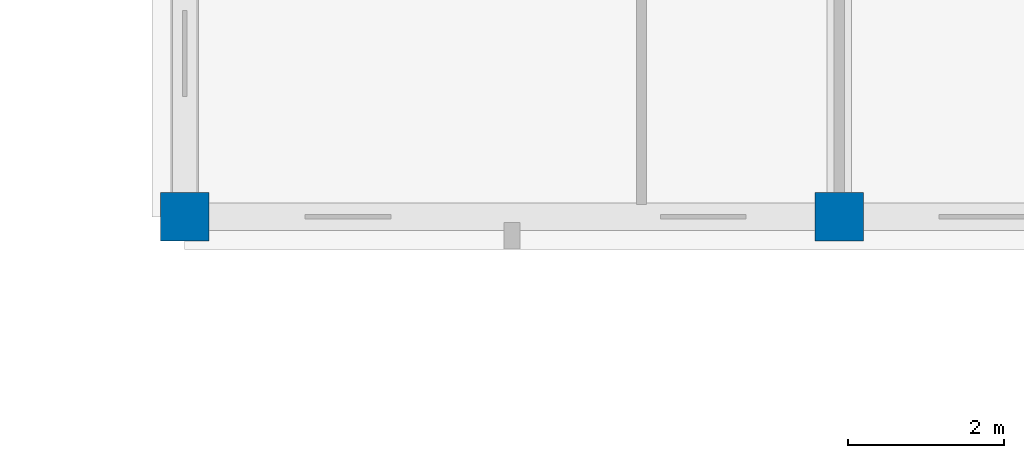
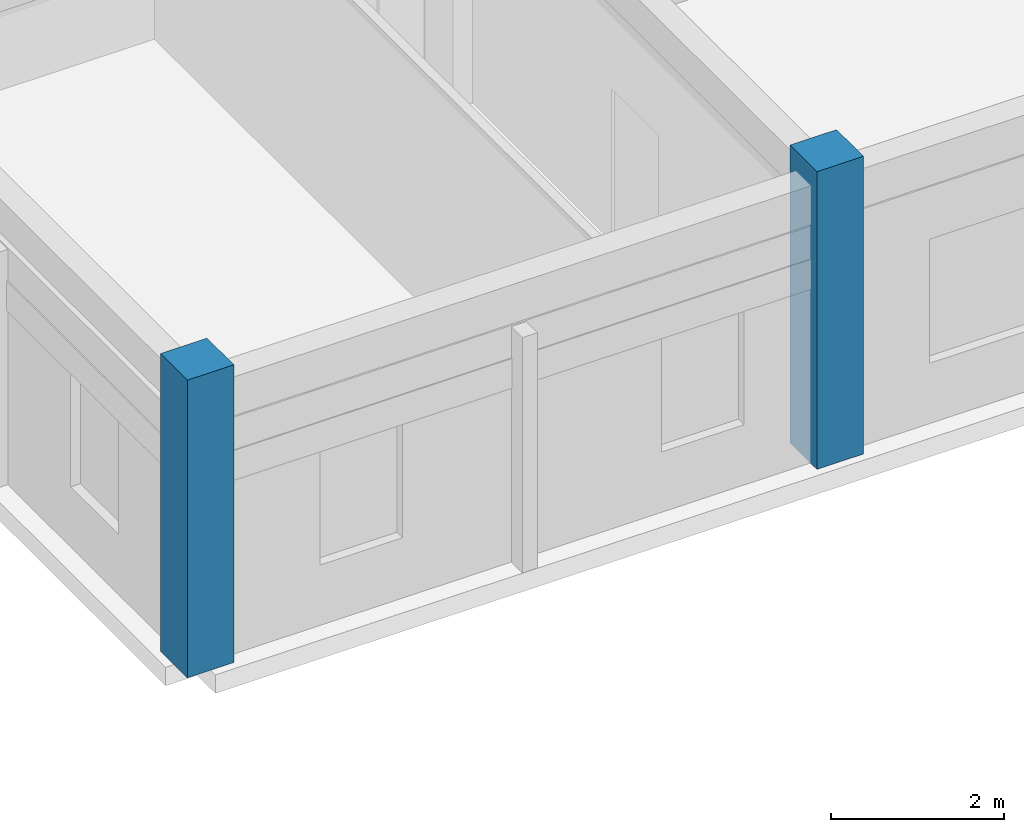
# One storey, part 5 of 81: 2 columns.
"""IFC4 building model written with IfcOpenShell, lengths in metres."""

from ifc_helpers import new_model, si_unit, direction, frame, origin, origin_2d, place, context, subcontext, project, spatial, rectangle, extrude, material, material_profile, profile_set, type_object, element, save


model = new_model("IFC4")

# Units and contexts
model_context = context("Model", 3, precision=1e-05, world=origin(), true_north=direction((0.0, 1.0)))
body_context = subcontext(model_context, "Body", "Model", "MODEL_VIEW")
ifc_project = project(units=[si_unit("LENGTHUNIT", "METRE"), si_unit("AREAUNIT", "SQUARE_METRE"), si_unit("VOLUMEUNIT", "CUBIC_METRE"), si_unit("PLANEANGLEUNIT", "RADIAN"), si_unit("MASSUNIT", "GRAM", prefix="KILO")], contexts=[model_context])

# Site, building, storey
site_placement = place(None, origin())
site = spatial("IfcSite", under=ifc_project, at=site_placement, CompositionType="ELEMENT")
building_placement = place(site_placement, origin())
building = spatial("IfcBuilding", under=site, at=building_placement, Name="Trelvath General Hospital", CompositionType="ELEMENT")
storey_placement = place(building_placement, frame((0.0, 0.0, 24.60009765625)))
storey = spatial("IfcBuildingStorey", under=building, at=storey_placement, Name="L06", CompositionType="ELEMENT", Elevation=24.60009765625)

# Columns
ifc_material = material(Name="Concrete C40/50", Category="concrete")
ifc_material_profile = material_profile(ifc_material, rectangle(XDim=0.6201171875, YDim=0.6201171875, at=origin_2d()), Name="RC620x620")
ifc_profile_set = profile_set([ifc_material_profile], Name="Concrete C40/50")
column_type = type_object("IfcColumnType", Name="Column RC620", PredefinedType="COLUMN", material=ifc_profile_set)
for number, where, z_axis, x_axis, name in (
    (1, (33.60009765625, 92.39990234375, 0.0), (0.0, 0.0, 1.0), (1.0, 0.0, 0.0), "Column C-5L L06"),
    (2, (42.0, 92.39990234375, 0.0), (0.0, 0.0, 1.0), (1.0, 0.0, 0.0), "Column C-6L L06"),
):
    element("IfcColumn", number, at=place(storey_placement, frame(where, z_axis=z_axis, x_axis=x_axis)), inside=storey, type_object=column_type, Name=name, PredefinedType="COLUMN", context=body_context, shape_type="SweptSolid", body=[
        extrude(rectangle(XDim=0.6201171875, YDim=0.6201171875, at=origin_2d()), origin(), (0.0, 0.0, 1.0), 4.199951171875),
    ])

save(model, "model.ifc")
